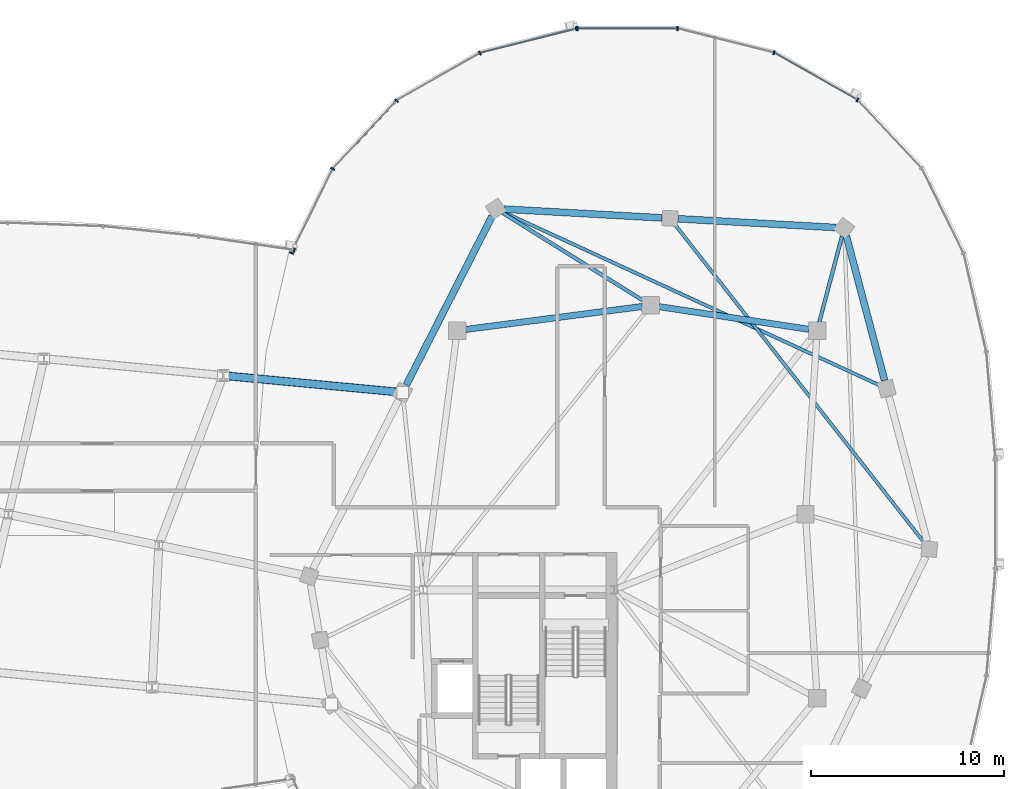
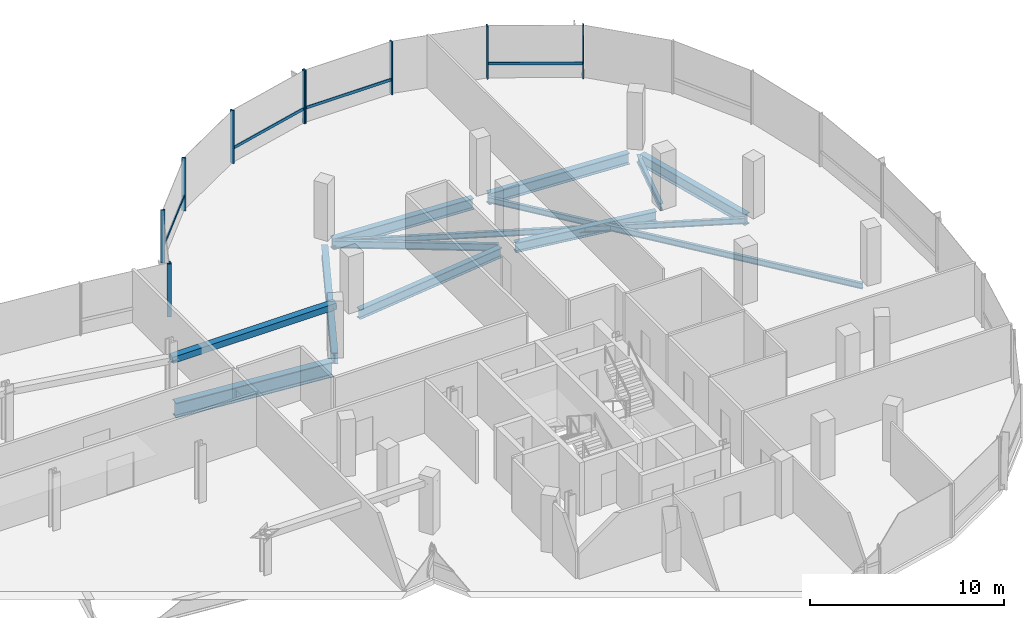
# One storey, part 10 of 25: 15 members, 11 beams, 3 elements without a shape of their own.
"""IFC4 building model written with IfcOpenShell, lengths in metres."""

from ifc_helpers import new_model, si_unit, direction, frame, origin, origin_2d, place, context, subcontext, project, spatial, rectangle, hollow_rectangle, i_section, extrude, material, material_profile, profile_set, type_object, element, aggregate, save


model = new_model("IFC4")

# Units and contexts
model_context = context("Model", 3, precision=1e-05, world=origin(), true_north=direction((0.0, 1.0)))
body_context = subcontext(model_context, "Body", "Model", "MODEL_VIEW")
ifc_project = project(units=[si_unit("LENGTHUNIT", "METRE"), si_unit("AREAUNIT", "SQUARE_METRE"), si_unit("VOLUMEUNIT", "CUBIC_METRE"), si_unit("PLANEANGLEUNIT", "RADIAN"), si_unit("MASSUNIT", "GRAM", prefix="KILO"), si_unit("THERMODYNAMICTEMPERATUREUNIT", "KELVIN"), si_unit("POWERUNIT", "WATT")], contexts=[model_context])

# Site, building, storey
site_placement = place(None, origin())
site = spatial("IfcSite", under=ifc_project, at=site_placement, CompositionType="ELEMENT")
building_placement = place(site_placement, origin())
building = spatial("IfcBuilding", under=site, at=building_placement, Name="Cundina Bronze Exchange", CompositionType="ELEMENT")
storey_placement = place(building_placement, frame((0.0, 0.0, 239.60009765625)))
storey = spatial("IfcBuildingStorey", under=building, at=storey_placement, Name="L63", CompositionType="ELEMENT", Elevation=239.60009765625)

# Beams
ifc_material_1 = material(Name="Steel ASTM A992 Grade 50", Category="steel")
ifc_material_profile_1 = material_profile(ifc_material_1, i_section(OverallWidth=0.19091796875, OverallDepth=0.4599609375, WebThickness=0.010009765625, FlangeThickness=0.01611328125, FilletRadius=0.011962890625, at=origin_2d()), Name="W18X55", Category="steel")
ifc_profile_set_1 = profile_set([ifc_material_profile_1], Name="Steel ASTM A992 Grade 50")
beam_type_1 = type_object("IfcBeamType", Name="BM-FLR-W18B", PredefinedType="BEAM", material=ifc_profile_set_1)
beam_1_placement = place(storey_placement, frame((41.911865234375, 9.923583984375, -0.489990234375), z_axis=(0.255398602339, 0.96683584642, 0.0), x_axis=(-0.96683584642, 0.255398602339, 0.0)))
element("IfcBeam", 1, at=beam_1_placement, inside=storey, type_object=beam_type_1, Name="L63 Leg E Chordal Floor Beam 10", PredefinedType="BEAM", context=body_context, shape_type="SweptSolid", body=[
    extrude(i_section(OverallWidth=0.19091796875, OverallDepth=0.4599609375, WebThickness=0.010009765625, FlangeThickness=0.01611328125, FilletRadius=0.011962890625, at=origin_2d()), origin(), (0.0, 0.0, 1.0), 4.605712890625),
])
beam_2_placement = place(storey_placement, frame((32.82861328125, 11.031982421875, -0.489990234375), z_axis=(-0.847995098703, 0.530004068452, 0.0), x_axis=(-0.530004068452, -0.847995098703, 0.0)))
element("IfcBeam", 2, at=beam_2_placement, inside=storey, type_object=beam_type_1, Name="L63 Leg E Chordal Floor Beam 12", PredefinedType="BEAM", context=body_context, shape_type="SweptSolid", body=[
    extrude(i_section(OverallWidth=0.19091796875, OverallDepth=0.4599609375, WebThickness=0.010009765625, FlangeThickness=0.01611328125, FilletRadius=0.011962890625, at=origin_2d()), origin(), (0.0, 0.0, 1.0), 8.55810546875),
])
ifc_material_profile_2 = material_profile(ifc_material_1, i_section(OverallWidth=0.172119140625, OverallDepth=0.35791015625, WebThickness=0.0078125, FlangeThickness=0.01318359375, FilletRadius=0.010009765625, at=origin_2d()), Name="W14X38", Category="steel")
ifc_profile_set_2 = profile_set([ifc_material_profile_2], Name="Steel ASTM A992 Grade 50")
beam_type_2 = type_object("IfcBeamType", Name="BM-JST-W14", PredefinedType="JOIST", material=ifc_profile_set_2)
beam_3_placement = place(storey_placement, frame((47.329833984375, -1.455078125, -0.439208984375), z_axis=(-0.616810493522, 0.787111691618, 0.0), x_axis=(-0.787111691618, -0.616810493522, 0.0)))
element("IfcBeam", 3, at=beam_3_placement, inside=storey, type_object=beam_type_2, Name="L63 Leg E Lobe Floor Joist 08-11", PredefinedType="JOIST", context=body_context, shape_type="SweptSolid", body=[
    extrude(i_section(OverallWidth=0.172119140625, OverallDepth=0.35791015625, WebThickness=0.0078125, FlangeThickness=0.01318359375, FilletRadius=0.010009765625, at=origin_2d()), origin(), (0.0, 0.0, 1.0), 20.8486328125),
])
beam_4_placement = place(storey_placement, frame((45.002197265625, 6.68310546875, -0.439208984375), z_axis=(-0.908355026127, 0.418199888224, 0.0), x_axis=(-0.418199888224, -0.908355026127, 0.0)))
element("IfcBeam", 4, at=beam_4_placement, inside=storey, type_object=beam_type_2, Name="L63 Leg E Lobe Floor Joist 09-12", PredefinedType="JOIST", context=body_context, shape_type="SweptSolid", body=[
    extrude(i_section(OverallWidth=0.172119140625, OverallDepth=0.35791015625, WebThickness=0.0078125, FlangeThickness=0.01318359375, FilletRadius=0.010009765625, at=origin_2d()), origin(), (0.0, 0.0, 1.0), 21.362060546875),
])
ifc_material_profile_3 = material_profile(ifc_material_1, i_section(OverallWidth=0.324951171875, OverallDepth=0.615966796875, WebThickness=0.013916015625, FlangeThickness=0.021484375, FilletRadius=0.01611328125, at=origin_2d()), Name="W24X117", Category="steel")
ifc_profile_set_3 = profile_set([ifc_material_profile_3], Name="Steel ASTM A992 Grade 50")
beam_type_3 = type_object("IfcBeamType", Name="BM-RING-W24", PredefinedType="USERDEFINED", material=ifc_profile_set_3)
beam_5_placement = place(storey_placement, frame((41.366943359375, 9.5654296875, -0.568115234375), z_axis=(-0.988764903598, 0.149478979839, 0.0), x_axis=(-0.149478979839, -0.988764903598, 0.0)))
element("IfcBeam", 5, at=beam_5_placement, inside=storey, type_object=beam_type_3, Name="L63 E Inner Structural Ring Girder 05", ObjectType="GIRDER", PredefinedType="USERDEFINED", context=body_context, shape_type="SweptSolid", body=[
    extrude(i_section(OverallWidth=0.324951171875, OverallDepth=0.615966796875, WebThickness=0.013916015625, FlangeThickness=0.021484375, FilletRadius=0.01611328125, at=origin_2d()), origin(), (0.0, 0.0, 1.0), 7.82177734375),
])
beam_6_placement = place(storey_placement, frame((32.765625, 10.743408203125, -0.568115234375), z_axis=(-0.991656498582, -0.128908451316, 0.0), x_axis=(0.128908451316, -0.991656498582, 0.0)))
element("IfcBeam", 6, at=beam_6_placement, inside=storey, type_object=beam_type_3, Name="L63 E Inner Structural Ring Girder 06", ObjectType="GIRDER", PredefinedType="USERDEFINED", context=body_context, shape_type="SweptSolid", body=[
    extrude(i_section(OverallWidth=0.324951171875, OverallDepth=0.615966796875, WebThickness=0.013916015625, FlangeThickness=0.021484375, FilletRadius=0.01611328125, at=origin_2d()), origin(), (0.0, 0.0, 1.0), 9.208251953125),
])
ifc_material_profile_4 = material_profile(ifc_material_1, i_section(OverallWidth=0.35498046875, OverallDepth=0.695068359375, WebThickness=0.015380859375, FlangeThickness=0.02490234375, FilletRadius=0.01806640625, at=origin_2d()), Name="W27X146", Category="steel")
ifc_profile_set_4 = profile_set([ifc_material_profile_4], Name="Steel ASTM A992 Grade 50")
beam_type_4 = type_object("IfcBeamType", Name="BM-RING-W27", PredefinedType="USERDEFINED", material=ifc_profile_set_4)
beam_7_placement = place(storey_placement, frame((45.287841796875, 6.92333984375, -0.607666015625), z_axis=(-0.256211934474, 0.966620631185, 0.0), x_axis=(-0.966620631185, -0.256211934474, 0.0)))
element("IfcBeam", 7, at=beam_7_placement, inside=storey, type_object=beam_type_4, Name="L63 E Perimeter Ring Girder 09", ObjectType="GIRDER", PredefinedType="USERDEFINED", context=body_context, shape_type="SweptSolid", body=[
    extrude(i_section(OverallWidth=0.35498046875, OverallDepth=0.695068359375, WebThickness=0.015380859375, FlangeThickness=0.02490234375, FilletRadius=0.01806640625, at=origin_2d()), origin(), (0.0, 0.0, 1.0), 7.710693359375),
])
for number, where, z_axis, x_axis, name in (
    (8, (42.7626953125, 14.82421875, -0.607666015625), (-0.998460353205, 0.055470019623, 0.0), (-0.055470019623, -0.998460353205, 0.0), "L63 E Perimeter Ring Girder 10"),
    (9, (33.7626953125, 15.32421875, -0.607666015625), (-0.998460353205, 0.055470019623, 0.0), (-0.055470019623, -0.998460353205, 0.0), "L63 E Perimeter Ring Girder 11"),
):
    element("IfcBeam", number, at=place(storey_placement, frame(where, z_axis=z_axis, x_axis=x_axis)), inside=storey, type_object=beam_type_4, Name=name, ObjectType="GIRDER", PredefinedType="USERDEFINED", context=body_context, shape_type="SweptSolid", body=[
        extrude(i_section(OverallWidth=0.35498046875, OverallDepth=0.695068359375, WebThickness=0.015380859375, FlangeThickness=0.02490234375, FilletRadius=0.01806640625, at=origin_2d()), origin(), (0.0, 0.0, 1.0), 8.137939453125),
    ])
beam_8_placement = place(storey_placement, frame((25.001708984375, 15.409423828125, -0.607666015625), z_axis=(-0.452846871434, -0.891588308039, 0.0), x_axis=(0.891588308039, -0.452846871434, 0.0)))
element("IfcBeam", 10, at=beam_8_placement, inside=storey, type_object=beam_type_4, Name="L63 E Perimeter Ring Girder 12", ObjectType="GIRDER", PredefinedType="USERDEFINED", context=body_context, shape_type="SweptSolid", body=[
    extrude(i_section(OverallWidth=0.35498046875, OverallDepth=0.695068359375, WebThickness=0.015380859375, FlangeThickness=0.02490234375, FilletRadius=0.01806640625, at=origin_2d()), origin(), (0.0, 0.0, 1.0), 9.779052734375),
])
ifc_material_profile_5 = material_profile(ifc_material_1, i_section(OverallWidth=0.423095703125, OverallDepth=0.947998046875, WebThickness=0.02392578125, FlangeThickness=0.042724609375, FilletRadius=0.02392578125, at=origin_2d()), Name="W36X302", Category="steel")
ifc_profile_set_5 = profile_set([ifc_material_profile_5], Name="Steel ASTM A992 Grade 50")
beam_type_5 = type_object("IfcBeamType", Name="BM-WRN-W36A", PredefinedType="USERDEFINED", material=ifc_profile_set_5)
beam_9_placement = place(storey_placement, frame((11.285400390625, 7.158203125, -0.794189453125), z_axis=(0.995572136276, -0.094000646124, 0.0), x_axis=(0.094000646124, 0.995572136276, 0.0)))
element("IfcBeam", 11, at=beam_9_placement, inside=storey, type_object=beam_type_5, Name="L63 Sky-Gate Longitudinal Girder Y3-P4", ObjectType="GIRDER", PredefinedType="USERDEFINED", context=body_context, shape_type="SweptSolid", body=[
    extrude(i_section(OverallWidth=0.423095703125, OverallDepth=0.947998046875, WebThickness=0.02392578125, FlangeThickness=0.042724609375, FilletRadius=0.02392578125, at=origin_2d()), origin(), (0.0, 0.0, 1.0), 8.949951171875),
])

# Curtain wall, members
ifc_material_2 = material(Name="Anodised Bronze Aluminium 6063-T6", Category="aluminium")
curtain_wall_type = type_object("IfcCurtainWallType", Name="CWS-SKG-BRG", PredefinedType="NOTDEFINED", material=ifc_material_2)
curtain_wall_1_placement = place(storey_placement, origin())
curtain_wall_1 = element("IfcCurtainWall", 12, at=curtain_wall_1_placement, inside=storey, type_object=curtain_wall_type, Name="L63 CW-06 Curtain Wall Run CWR-L63-E1", PredefinedType="NOTDEFINED")
ifc_material_profile_6 = material_profile(ifc_material_2, rectangle(XDim=0.074951171875, YDim=0.219970703125, at=origin_2d()), Name="AL75X220", Category="aluminium")
ifc_profile_set_6 = profile_set([ifc_material_profile_6], Name="Anodised Bronze Aluminium 6063-T6")
member_type_1 = type_object("IfcMemberType", Name="CWM-MUL-220", PredefinedType="MULLION", material=ifc_profile_set_6)
member_1_placement = place(storey_placement, frame((43.88916015625, 21.419921875, 0.0), z_axis=(0.0, 0.0, 1.0), x_axis=(-0.86958112538, 0.493790103568, 0.0)))
member_1 = element("IfcMember", 13, at=member_1_placement, type_object=member_type_1, Name="CW-06 Mullion 5", PredefinedType="MULLION", context=body_context, shape_type="SweptSolid", body=[
    extrude(rectangle(XDim=0.074951171875, YDim=0.219970703125, at=origin_2d()), origin(), (0.0, 0.0, 1.0), 3.33984375),
])
member_2_placement = place(storey_placement, frame((39.5703125, 23.86181640625, 0.0), z_axis=(0.0, 0.0, 1.0), x_axis=(-0.969744325821, 0.244122802168, 0.0)))
member_2 = element("IfcMember", 14, at=member_2_placement, type_object=member_type_1, Name="CW-06 Mullion 6", PredefinedType="MULLION", context=body_context, shape_type="SweptSolid", body=[
    extrude(rectangle(XDim=0.074951171875, YDim=0.219970703125, at=origin_2d()), origin(), (0.0, 0.0, 1.0), 3.33984375),
])
member_3_placement = place(storey_placement, frame((34.576416015625, 25.110107421875, 0.0), z_axis=(0.0, 0.0, 1.0), x_axis=(-1.0, 0.0, 0.0)))
member_3 = element("IfcMember", 15, at=member_3_placement, type_object=member_type_1, Name="CW-06 Mullion 7", PredefinedType="MULLION", context=body_context, shape_type="SweptSolid", body=[
    extrude(rectangle(XDim=0.074951171875, YDim=0.219970703125, at=origin_2d()), origin(), (0.0, 0.0, 1.0), 3.33984375),
])
member_4_placement = place(storey_placement, frame((29.423583984375, 25.110107421875, 0.0), z_axis=(0.0, 0.0, 1.0), x_axis=(-1.0, 0.0, 0.0)))
member_4 = element("IfcMember", 16, at=member_4_placement, type_object=member_type_1, Name="CW-06 End Mullion", PredefinedType="MULLION", context=body_context, shape_type="SweptSolid", body=[
    extrude(rectangle(XDim=0.074951171875, YDim=0.219970703125, at=origin_2d()), origin(), (0.0, 0.0, 1.0), 3.33984375),
])

curtain_wall_2_placement = place(storey_placement, origin())
curtain_wall_2 = element("IfcCurtainWall", 17, at=curtain_wall_2_placement, inside=storey, type_object=curtain_wall_type, Name="L63 CW-06 Curtain Wall Run CWR-L63-E2", PredefinedType="NOTDEFINED")
member_5_placement = place(storey_placement, frame((29.351806640625, 25.10107421875, 0.0), z_axis=(0.0, 0.0, 1.0), x_axis=(-0.969744325821, -0.244122802168, 0.0)))
member_5 = element("IfcMember", 18, at=member_5_placement, type_object=member_type_1, Name="CW-06 Mullion 1", PredefinedType="MULLION", context=body_context, shape_type="SweptSolid", body=[
    extrude(rectangle(XDim=0.074951171875, YDim=0.219970703125, at=origin_2d()), origin(), (0.0, 0.0, 1.0), 3.33984375),
])
member_6_placement = place(storey_placement, frame((24.365478515625, 23.8359375, 0.0), z_axis=(0.0, 0.0, 1.0), x_axis=(-0.86958112538, -0.493790103568, 0.0)))
member_6 = element("IfcMember", 19, at=member_6_placement, type_object=member_type_1, Name="CW-06 Mullion 2", PredefinedType="MULLION", context=body_context, shape_type="SweptSolid", body=[
    extrude(rectangle(XDim=0.074951171875, YDim=0.219970703125, at=origin_2d()), origin(), (0.0, 0.0, 1.0), 3.33984375),
])
member_7_placement = place(storey_placement, frame((20.059814453125, 21.3798828125, 0.0), z_axis=(0.0, 0.0, 1.0), x_axis=(-0.684292606175, -0.729207535023, 0.0)))
member_7 = element("IfcMember", 20, at=member_7_placement, type_object=member_type_1, Name="CW-06 Mullion 3", PredefinedType="MULLION", context=body_context, shape_type="SweptSolid", body=[
    extrude(rectangle(XDim=0.074951171875, YDim=0.219970703125, at=origin_2d()), origin(), (0.0, 0.0, 1.0), 3.33984375),
])
member_8_placement = place(storey_placement, frame((16.7666015625, 17.856689453125, 0.0), z_axis=(0.0, 0.0, 1.0), x_axis=(-0.440566004113, -0.897720221461, 0.0)))
member_8 = element("IfcMember", 21, at=member_8_placement, type_object=member_type_1, Name="CW-06 Mullion 4", PredefinedType="MULLION", context=body_context, shape_type="SweptSolid", body=[
    extrude(rectangle(XDim=0.074951171875, YDim=0.219970703125, at=origin_2d()), origin(), (0.0, 0.0, 1.0), 3.33984375),
])
member_9_placement = place(storey_placement, frame((14.630859375, 13.50390625, 0.0), z_axis=(0.0, 0.0, 1.0), x_axis=(-0.440566004113, -0.897720221461, 0.0)))
member_9 = element("IfcMember", 22, at=member_9_placement, type_object=member_type_1, Name="CW-06 End Mullion", PredefinedType="MULLION", context=body_context, shape_type="SweptSolid", body=[
    extrude(rectangle(XDim=0.074951171875, YDim=0.219970703125, at=origin_2d()), origin(), (0.0, 0.0, 1.0), 3.33984375),
])

# Curtain wall, member
curtain_wall_3_placement = place(storey_placement, origin())
curtain_wall_3 = element("IfcCurtainWall", 23, at=curtain_wall_3_placement, inside=storey, type_object=curtain_wall_type, Name="L63 CW-06 Curtain Wall Run CWR-L63-BRGN", PredefinedType="NOTDEFINED")
member_10_placement = place(storey_placement, frame((14.779296875, 13.658935546875, 0.0), z_axis=(0.0, 0.0, 1.0), x_axis=(-0.989525789069, 0.144356201001, 0.0)))
member_10 = element("IfcMember", 24, at=member_10_placement, type_object=member_type_1, Name="CW-06 Mullion 1", PredefinedType="MULLION", context=body_context, shape_type="SweptSolid", body=[
    extrude(rectangle(XDim=0.074951171875, YDim=0.219970703125, at=origin_2d()), origin(), (0.0, 0.0, 1.0), 3.27978515625),
])
aggregate(curtain_wall_3, [member_10])

# Member
ifc_material_profile_7 = material_profile(ifc_material_2, rectangle(XDim=0.070068359375, YDim=0.179931640625, at=origin_2d()), Name="AL70X180", Category="aluminium")
ifc_profile_set_7 = profile_set([ifc_material_profile_7], Name="Anodised Bronze Aluminium 6063-T6")
member_type_2 = type_object("IfcMemberType", Name="CWM-TRN-180", PredefinedType="USERDEFINED", material=ifc_profile_set_7)
member_11_placement = place(storey_placement, frame((43.853271484375, 21.440185546875, 0.919921875), z_axis=(-0.869557366176, 0.493831941989, 0.0), x_axis=(-0.493831941989, -0.869557366176, 0.0)))
member_11 = element("IfcMember", 25, at=member_11_placement, type_object=member_type_2, Name="CW-06 Spandrel Transom 5", ObjectType="TRANSOM", PredefinedType="USERDEFINED", context=body_context, shape_type="SweptSolid", body=[
    extrude(rectangle(XDim=0.070068359375, YDim=0.179931640625, at=origin_2d()), origin(), (0.0, 0.0, 1.0), 4.892822265625),
])

member_12_placement = place(storey_placement, frame((34.53515625, 25.110107421875, 0.919921875), z_axis=(-1.0, 0.0, 0.0), x_axis=(0.0, -1.0, 0.0)))
member_12 = element("IfcMember", 26, at=member_12_placement, type_object=member_type_2, Name="CW-06 Spandrel Transom 7", ObjectType="TRANSOM", PredefinedType="USERDEFINED", context=body_context, shape_type="SweptSolid", body=[
    extrude(rectangle(XDim=0.070068359375, YDim=0.179931640625, at=origin_2d()), origin(), (0.0, 0.0, 1.0), 5.070556640625),
])

aggregate(curtain_wall_1, [member_1, member_11, member_2, member_3, member_4, member_12])

member_13_placement = place(storey_placement, frame((29.311767578125, 25.091064453125, 0.919921875), z_axis=(-0.969736547481, -0.244153698478, 0.0), x_axis=(0.244153698478, -0.969736547481, 0.0)))
member_13 = element("IfcMember", 27, at=member_13_placement, type_object=member_type_2, Name="CW-06 Spandrel Transom 1", ObjectType="TRANSOM", PredefinedType="USERDEFINED", context=body_context, shape_type="SweptSolid", body=[
    extrude(rectangle(XDim=0.070068359375, YDim=0.179931640625, at=origin_2d()), origin(), (0.0, 0.0, 1.0), 5.07568359375),
])

member_14_placement = place(storey_placement, frame((20.031494140625, 21.349609375, 0.919921875), z_axis=(-0.684328474899, -0.729173873944, 0.0), x_axis=(0.729173873944, -0.684328474899, 0.0)))
member_14 = element("IfcMember", 28, at=member_14_placement, type_object=member_type_2, Name="CW-06 Spandrel Transom 3", ObjectType="TRANSOM", PredefinedType="USERDEFINED", context=body_context, shape_type="SweptSolid", body=[
    extrude(rectangle(XDim=0.070068359375, YDim=0.179931640625, at=origin_2d()), origin(), (0.0, 0.0, 1.0), 4.758056640625),
])

aggregate(curtain_wall_2, [member_5, member_13, member_6, member_7, member_14, member_8, member_9])

ifc_material_3 = material(Name="Steel ASTM A500 Grade C", Category="steel")
ifc_material_profile_8 = material_profile(ifc_material_3, hollow_rectangle(XDim=0.39990234375, YDim=0.39990234375, WallThickness=0.02197265625, at=origin_2d()), Name="HSS400X400X22", Category="steel")
ifc_profile_set_8 = profile_set([ifc_material_profile_8], Name="Steel ASTM A500 Grade C")
member_type_3 = type_object("IfcMemberType", Name="MBR-WRN-HSS400", PredefinedType="BRACE", material=ifc_profile_set_8)
member_15_placement = place(storey_placement, frame((11.106201171875, 7.175048828125, 2.419921875), z_axis=(0.992691432213, -0.093712790545, 0.07603705215), x_axis=(0.093984877441, 0.995573625008, 0.0)))
element("IfcMember", 29, at=member_15_placement, inside=storey, type_object=member_type_3, Name="L63 Sky-Gate Warren Truss Diagonal Y3-P4", PredefinedType="BRACE", context=body_context, shape_type="SweptSolid", body=[
    extrude(hollow_rectangle(XDim=0.39990234375, YDim=0.39990234375, WallThickness=0.02197265625, at=origin_2d()), origin(), (0.0, 0.0, 1.0), 9.337158203125),
])

save(model, "model.ifc")
